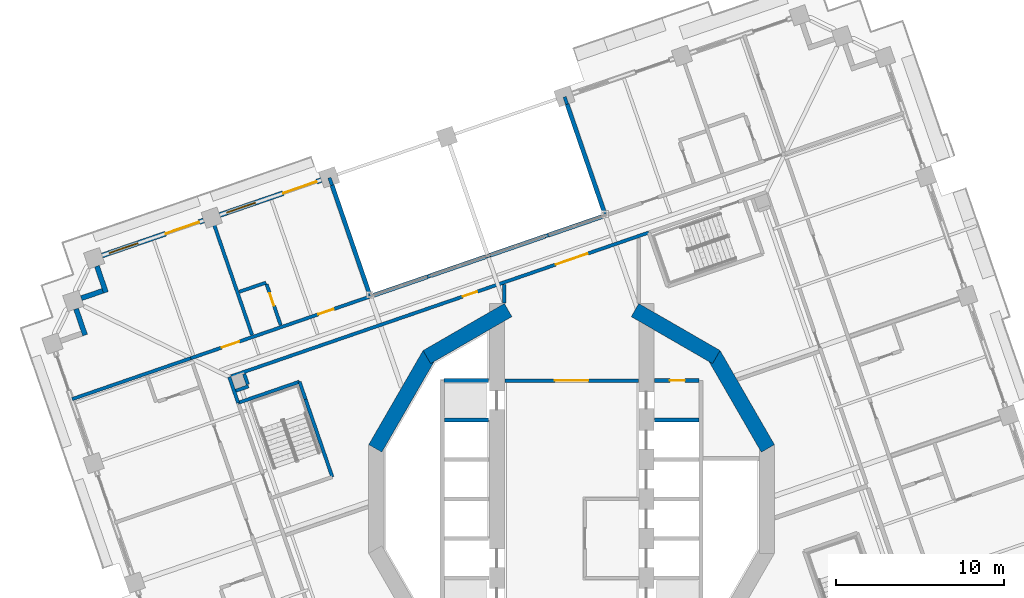
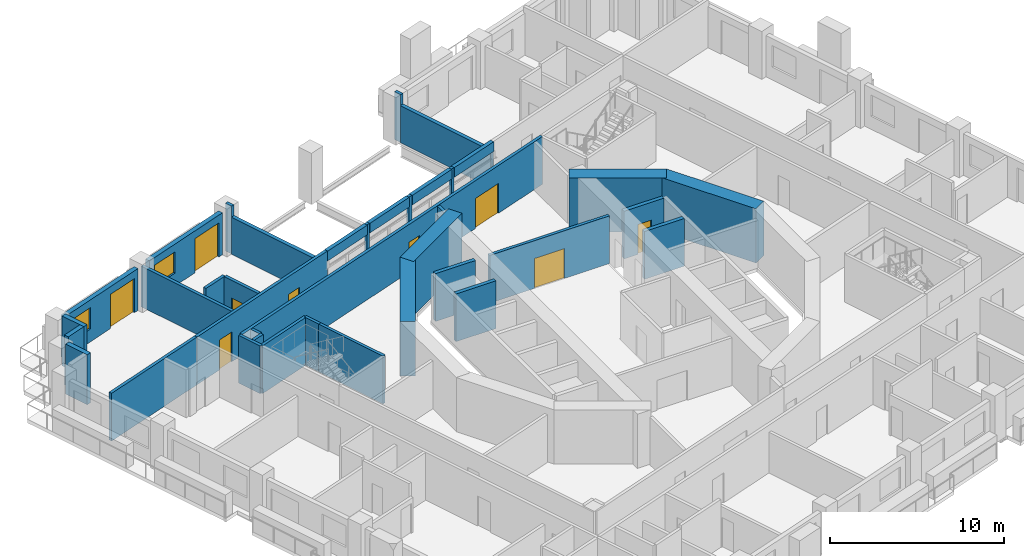
# One storey, part 11 of 22: 38 walls, 9 doors, 2 windows, 11 openings.
"""IFC4 building model written with IfcOpenShell, lengths in metres."""

from ifc_helpers import new_model, si_unit, direction, frame, frame_2d, origin, place, context, subcontext, project, spatial, rectangle, extrude, material, layer, layer_set, type_object, element, fill, save


model = new_model("IFC4")

# Units and contexts
model_context = context("Model", 3, precision=1e-05, world=origin(), true_north=direction((0.0, 1.0)))
body_context = subcontext(model_context, "Body", "Model", "MODEL_VIEW")
ifc_project = project(units=[si_unit("LENGTHUNIT", "METRE"), si_unit("AREAUNIT", "SQUARE_METRE"), si_unit("VOLUMEUNIT", "CUBIC_METRE"), si_unit("PLANEANGLEUNIT", "RADIAN"), si_unit("MASSUNIT", "GRAM", prefix="KILO")], contexts=[model_context])

# Site, building, storey
site_placement = place(None, origin())
site = spatial("IfcSite", under=ifc_project, at=site_placement, CompositionType="ELEMENT")
building_placement = place(site_placement, origin())
building = spatial("IfcBuilding", under=site, at=building_placement, Name="Cantera Rosa Tower", CompositionType="ELEMENT")
storey_placement = place(building_placement, frame((0.0, 0.0, 138.300048828125)))
storey = spatial("IfcBuildingStorey", under=building, at=storey_placement, Name="L29", CompositionType="ELEMENT", Elevation=138.300048828125)

# Walls
ifc_material_1 = material(Name="Gypsum board partition")
ifc_layer_1 = layer(ifc_material_1, 0.199951171875)
ifc_layer_set_1 = layer_set([ifc_layer_1], Name="CORRIDOR WALL 200 H3350")
wall_type_1 = type_object("IfcWallType", Name="CORRIDOR WALL 200 H3350", PredefinedType="PARTITIONING", material=ifc_layer_set_1)
wall_1_placement = place(storey_placement, frame((-20.37451171875, 7.262451171875, 0.0), z_axis=(0.0, 0.0, 1.0), x_axis=(0.325532736599, -0.945530770204, 0.0)))
element("IfcWall", 1, at=wall_1_placement, inside=storey, type_object=wall_type_1, Name="CORRIDOR WALL L29-007", PredefinedType="PARTITIONING", context=body_context, shape_type="SweptSolid", body=[
    extrude(rectangle(XDim=1.626708984375, YDim=0.199951171875, at=frame_2d((0.8134765625, 0.0))), origin(), (0.0, 0.0, 1.0), 3.349853515625),
])
wall_2_placement = place(storey_placement, frame((-4.0, 12.760498046875, 0.0), z_axis=(0.0, 0.0, 1.0), x_axis=(0.0, -1.0, 0.0)))
element("IfcWall", 2, at=wall_2_placement, inside=storey, type_object=wall_type_1, Name="CORRIDOR WALL L29-050", PredefinedType="PARTITIONING", context=body_context, shape_type="SweptSolid", body=[
    extrude(rectangle(XDim=1.09326171875, YDim=0.199951171875, at=frame_2d((0.546630859375, 0.0))), origin(), (0.0, 0.0, 1.0), 3.349853515625),
])

# Wall, opening, door
wall_3_placement = place(storey_placement, frame((-3.969970703125, 7.050048828125, 0.0), z_axis=(0.0, 0.0, 1.0), x_axis=(1.0, 0.0, 0.0)))
wall_3 = element("IfcWall", 3, at=wall_3_placement, inside=storey, type_object=wall_type_1, Name="CORRIDOR WALL L29-051", PredefinedType="PARTITIONING", context=body_context, shape_type="SweptSolid", body=[
    extrude(rectangle(XDim=7.93994140625, YDim=0.199951171875, at=frame_2d((3.969970703125, 0.0))), origin(), (0.0, 0.0, 1.0), 3.349853515625),
])
opening_1_placement = place(wall_3_placement, frame((2.969970703125, 0.0, 0.0)))
opening_1 = element("IfcOpeningElement", 4, at=opening_1_placement, cuts=wall_3, Name="Opening L29-011", PredefinedType="OPENING", context=body_context, shape_type="SweptSolid", body=[
    extrude(rectangle(XDim=2.0, YDim=2.10009765625, at=frame_2d((1.0, 1.050048828125))), frame((0.0, 0.10986328125, 0.0), z_axis=(0.0, -1.0, 0.0), x_axis=(1.0, 0.0, 0.0)), (0.0, 0.0, 1.0), 0.219970703125),
])
ifc_material_2 = material(Name="Steel S355J2 (EN 10025-2)", Category="steel")
door_type_1 = type_object("IfcDoorType", Name="LOBBY SCREEN DOOR 2000x2100", OperationType="NOTDEFINED", PredefinedType="DOOR", material=ifc_material_2)
door_1_placement = place(opening_1_placement, origin())
door_1 = element("IfcDoor", 5, at=door_1_placement, inside=storey, type_object=door_type_1, Name="DOOR L29-011", OperationType="NOTDEFINED", OverallHeight=2.10009765625, OverallWidth=2.0, PredefinedType="DOOR", context=body_context, shape_type="SweptSolid", body=[
    extrude(rectangle(XDim=2.0, YDim=2.10009765625, at=frame_2d((1.0, 1.050048828125))), frame((0.0, 0.02490234375, 0.0), z_axis=(0.0, -1.0, 0.0), x_axis=(1.0, 0.0, 0.0)), (0.0, 0.0, 1.0), 0.050048828125),
])
fill(opening_1, door_1)

# Wall, openings, doors
wall_4_placement = place(storey_placement, frame((4.599365234375, 15.861572265625, 0.0), z_axis=(0.0, 0.0, 1.0), x_axis=(-0.94551912499, -0.325566558907, 0.0)))
wall_4 = element("IfcWall", 6, at=wall_4_placement, inside=storey, type_object=wall_type_1, Name="CORRIDOR WALL L29-061", PredefinedType="PARTITIONING", context=body_context, shape_type="SweptSolid", body=[
    extrude(rectangle(XDim=26.292724609375, YDim=0.199951171875, at=frame_2d((13.146484375, 0.0))), origin(), (0.0, 0.0, 1.0), 3.349853515625),
])
opening_2_placement = place(wall_4_placement, frame((10.8095703125, 0.0, 0.0)))
opening_2 = element("IfcOpeningElement", 7, at=opening_2_placement, cuts=wall_4, Name="Opening L29-005", PredefinedType="OPENING", context=body_context, shape_type="SweptSolid", body=[
    extrude(rectangle(XDim=0.89990234375, YDim=2.10009765625, at=frame_2d((0.449951171875, 1.050048828125))), frame((0.0, 0.10986328125, 0.0), z_axis=(0.0, -1.0, 0.0), x_axis=(1.0, 0.0, 0.0)), (0.0, 0.0, 1.0), 0.219970703125),
])
opening_3_placement = place(wall_4_placement, frame((3.864501953125, 0.0, 0.0)))
opening_3 = element("IfcOpeningElement", 8, at=opening_3_placement, cuts=wall_4, Name="Opening L29-010", PredefinedType="OPENING", context=body_context, shape_type="SweptSolid", body=[
    extrude(rectangle(XDim=2.0, YDim=2.10009765625, at=frame_2d((1.0, 1.050048828125))), frame((0.0, 0.10986328125, 0.0), z_axis=(0.0, -1.0, 0.0), x_axis=(1.0, 0.0, 0.0)), (0.0, 0.0, 1.0), 0.219970703125),
])
door_2_placement = place(opening_3_placement, origin())
door_2 = element("IfcDoor", 9, at=door_2_placement, inside=storey, type_object=door_type_1, Name="DOOR L29-010", OperationType="NOTDEFINED", OverallHeight=2.10009765625, OverallWidth=2.0, PredefinedType="DOOR", context=body_context, shape_type="SweptSolid", body=[
    extrude(rectangle(XDim=2.0, YDim=2.10009765625, at=frame_2d((1.0, 1.050048828125))), frame((0.0, 0.02490234375, 0.0), z_axis=(0.0, -1.0, 0.0), x_axis=(1.0, 0.0, 0.0)), (0.0, 0.0, 1.0), 0.050048828125),
])
fill(opening_3, door_2)
ifc_material_3 = material(Name="Timber door leaf", Category="wood")
door_type_2 = type_object("IfcDoorType", Name="SERVICE DOOR 900x2100", OperationType="NOTDEFINED", PredefinedType="DOOR", material=ifc_material_3)
door_3_placement = place(opening_2_placement, origin())
door_3 = element("IfcDoor", 10, at=door_3_placement, inside=storey, type_object=door_type_2, Name="DOOR L29-005", OperationType="NOTDEFINED", OverallHeight=2.10009765625, OverallWidth=0.89990234375, PredefinedType="DOOR", context=body_context, shape_type="SweptSolid", body=[
    extrude(rectangle(XDim=0.89990234375, YDim=2.10009765625, at=frame_2d((0.449951171875, 1.050048828125))), frame((0.0, 0.02490234375, 0.0), z_axis=(0.0, -1.0, 0.0), x_axis=(1.0, 0.0, 0.0)), (0.0, 0.0, 1.0), 0.050048828125),
])
fill(opening_2, door_3)

# Walls
wall_5_placement = place(storey_placement, frame((-1.379638671875, 15.70654296875, 0.0), z_axis=(0.0, 0.0, 1.0), x_axis=(-0.945384884548, -0.3259561628, 0.0)))
element("IfcWall", 11, at=wall_5_placement, inside=storey, type_object=wall_type_1, Name="CORRIDOR WALL L29-089", PredefinedType="PARTITIONING", context=body_context, shape_type="SweptSolid", body=[
    extrude(rectangle(XDim=0.218017578125, YDim=0.199951171875, at=frame_2d((0.10888671875, 0.0))), origin(), (0.0, 0.0, 1.0), 3.349853515625),
])
wall_6_placement = place(storey_placement, frame((-4.8544921875, 14.510009765625, 0.0), z_axis=(0.0, 0.0, 1.0), x_axis=(-0.945634074283, -0.325232528438, 0.0)))
element("IfcWall", 12, at=wall_6_placement, inside=storey, type_object=wall_type_1, Name="CORRIDOR WALL L29-090", PredefinedType="PARTITIONING", context=body_context, shape_type="SweptSolid", body=[
    extrude(rectangle(XDim=0.26806640625, YDim=0.199951171875, at=frame_2d((0.134033203125, 0.0))), origin(), (0.0, 0.0, 1.0), 3.349853515625),
])
wall_7_placement = place(storey_placement, frame((-8.37646484375, 13.29736328125, 0.0), z_axis=(0.0, 0.0, 1.0), x_axis=(-0.945503706082, -0.325611335467, 0.0)))
element("IfcWall", 13, at=wall_7_placement, inside=storey, type_object=wall_type_1, Name="CORRIDOR WALL L29-091", PredefinedType="PARTITIONING", context=body_context, shape_type="SweptSolid", body=[
    extrude(rectangle(XDim=0.21826171875, YDim=0.199951171875, at=frame_2d((0.109130859375, 0.0))), origin(), (0.0, 0.0, 1.0), 3.349853515625),
])

# Wall, openings, doors
wall_8_placement = place(storey_placement, frame((-11.85986328125, 12.097900390625, 0.0), z_axis=(0.0, 0.0, 1.0), x_axis=(-0.945521627167, -0.325559291927, 0.0)))
wall_8 = element("IfcWall", 14, at=wall_8_placement, inside=storey, type_object=wall_type_1, Name="CORRIDOR WALL L29-092", PredefinedType="PARTITIONING", context=body_context, shape_type="SweptSolid", body=[
    extrude(rectangle(XDim=11.4248046875, YDim=0.199951171875, at=frame_2d((5.71240234375, 0.0))), origin(), (0.0, 0.0, 1.0), 3.349853515625),
])
opening_4_placement = place(wall_8_placement, frame((2.449951171875, 0.0, 0.0)))
opening_4 = element("IfcOpeningElement", 15, at=opening_4_placement, cuts=wall_8, Name="Opening L29-024", PredefinedType="OPENING", context=body_context, shape_type="SweptSolid", body=[
    extrude(rectangle(XDim=0.949951171875, YDim=2.10009765625, at=frame_2d((0.47509765625, 1.050048828125))), frame((0.0, 0.10986328125, 0.0), z_axis=(0.0, -1.0, 0.0), x_axis=(1.0, 0.0, 0.0)), (0.0, 0.0, 1.0), 0.219970703125),
])
opening_5_placement = place(wall_8_placement, frame((8.375, 0.0, 0.0)))
opening_5 = element("IfcOpeningElement", 16, at=opening_5_placement, cuts=wall_8, Name="Opening L29-029", PredefinedType="OPENING", context=body_context, shape_type="SweptSolid", body=[
    extrude(rectangle(XDim=1.10009765625, YDim=2.10009765625, at=frame_2d((0.550048828125, 1.050048828125))), frame((0.0, 0.10986328125, 0.0), z_axis=(0.0, -1.0, 0.0), x_axis=(1.0, 0.0, 0.0)), (0.0, 0.0, 1.0), 0.219970703125),
])
ifc_material_4 = material(Name="Timber door leaf", Category="wood")
door_type_3 = type_object("IfcDoorType", Name="ROOM DOOR 1100x2100", OperationType="NOTDEFINED", PredefinedType="DOOR", material=ifc_material_4)
door_4_placement = place(opening_5_placement, origin())
door_4 = element("IfcDoor", 17, at=door_4_placement, inside=storey, type_object=door_type_3, Name="DOOR L29-029", OperationType="NOTDEFINED", OverallHeight=2.10009765625, OverallWidth=1.10009765625, PredefinedType="DOOR", context=body_context, shape_type="SweptSolid", body=[
    extrude(rectangle(XDim=1.10009765625, YDim=2.10009765625, at=frame_2d((0.550048828125, 1.050048828125))), frame((0.0, 0.02490234375, 0.0), z_axis=(0.0, -1.0, 0.0), x_axis=(1.0, 0.0, 0.0)), (0.0, 0.0, 1.0), 0.050048828125),
])
fill(opening_5, door_4)
ifc_material_5 = material(Name="Timber door leaf", Category="wood")
door_type_4 = type_object("IfcDoorType", Name="ROOM DOOR 950x2100", OperationType="NOTDEFINED", PredefinedType="DOOR", material=ifc_material_5)
door_5_placement = place(opening_4_placement, origin())
door_5 = element("IfcDoor", 18, at=door_5_placement, inside=storey, type_object=door_type_4, Name="DOOR L29-024", OperationType="NOTDEFINED", OverallHeight=2.10009765625, OverallWidth=0.949951171875, PredefinedType="DOOR", context=body_context, shape_type="SweptSolid", body=[
    extrude(rectangle(XDim=0.949951171875, YDim=2.10009765625, at=frame_2d((0.47509765625, 1.050048828125))), frame((0.0, 0.02490234375, 0.0), z_axis=(0.0, -1.0, 0.0), x_axis=(1.0, 0.0, 0.0)), (0.0, 0.0, 1.0), 0.050048828125),
])
fill(opening_4, door_5)

# Walls
ifc_material_6 = material(Name="Hollow clay masonry with cantera stone cladding", Category="masonry")
ifc_layer_2 = layer(ifc_material_6, 0.300048828125)
ifc_layer_set_2 = layer_set([ifc_layer_2], Name="EW-LOGGIA 300")
wall_type_2 = type_object("IfcWallType", Name="EW-LOGGIA 300", PredefinedType="SOLIDWALL", material=ifc_layer_set_2)
wall_9_placement = place(storey_placement, frame((-28.250732421875, 13.857421875, 0.0), z_axis=(0.0, 0.0, 1.0), x_axis=(0.325666906351, -0.945484566827, 0.0)))
element("IfcWall", 19, at=wall_9_placement, inside=storey, type_object=wall_type_2, Name="EN-L29-W14a", PredefinedType="SOLIDWALL", context=body_context, shape_type="SweptSolid", body=[
    extrude(rectangle(XDim=1.64990234375, YDim=0.300048828125, at=frame_2d((0.824951171875, 0.0))), origin(), (0.0, 0.0, 1.0), 3.5),
])
wall_10_placement = place(storey_placement, frame((-27.904052734375, 12.390380859375, 0.0), z_axis=(0.0, 0.0, 1.0), x_axis=(-0.945545797087, -0.325489086777, 0.0)))
element("IfcWall", 20, at=wall_10_placement, inside=storey, type_object=wall_type_2, Name="EN-L29-W14b", PredefinedType="SOLIDWALL", context=body_context, shape_type="SweptSolid", body=[
    extrude(rectangle(XDim=1.35009765625, YDim=0.300048828125, at=frame_2d((0.675048828125, 0.0))), origin(), (0.0, 0.0, 1.0), 3.5),
])
wall_11_placement = place(storey_placement, frame((-29.490478515625, 11.315185546875, 0.0), z_axis=(0.0, 0.0, 1.0), x_axis=(0.32553462645, -0.945530119553, 0.0)))
element("IfcWall", 21, at=wall_11_placement, inside=storey, type_object=wall_type_2, Name="EN-L29-W15a", PredefinedType="SOLIDWALL", context=body_context, shape_type="SweptSolid", body=[
    extrude(rectangle(XDim=1.64990234375, YDim=0.300048828125, at=frame_2d((0.824951171875, 0.0))), origin(), (0.0, 0.0, 1.0), 3.5),
])

# Wall, openings, window, door
ifc_material_7 = material(Name="Hollow clay masonry with cantera stone cladding", Category="masonry")
ifc_layer_3 = layer(ifc_material_7, 0.300048828125)
ifc_layer_set_3 = layer_set([ifc_layer_3], Name="EW-LOGGIA 300 H2940")
wall_type_3 = type_object("IfcWallType", Name="EW-LOGGIA 300 H2940", PredefinedType="SOLIDWALL", material=ifc_layer_set_3)
wall_12_placement = place(storey_placement, frame((-14.892578125, 18.98583984375, 0.0), z_axis=(0.0, 0.0, 1.0), x_axis=(-0.945512753621, -0.325585062219, 0.0)))
wall_12 = element("IfcWall", 22, at=wall_12_placement, inside=storey, type_object=wall_type_3, Name="EN-L29-W12", PredefinedType="SOLIDWALL", context=body_context, shape_type="SweptSolid", body=[
    extrude(rectangle(XDim=6.39990234375, YDim=0.300048828125, at=frame_2d((3.199951171875, 0.0))), origin(), (0.0, 0.0, 1.0), 2.93994140625),
])
opening_6_placement = place(wall_12_placement, frame((0.300048828125, 0.0, 0.0)))
opening_6 = element("IfcOpeningElement", 23, at=opening_6_placement, cuts=wall_12, Name="Opening L29-TD15", PredefinedType="OPENING", context=body_context, shape_type="SweptSolid", body=[
    extrude(rectangle(XDim=2.10009765625, YDim=2.39990234375, at=frame_2d((1.050048828125, 1.199951171875))), frame((0.0, 0.159912109375, 0.0), z_axis=(0.0, -1.0, 0.0), x_axis=(1.0, 0.0, 0.0)), (0.0, 0.0, 1.0), 0.320068359375),
])
opening_7_placement = place(wall_12_placement, frame((4.14990234375, 0.0, 0.89990234375)))
opening_7 = element("IfcOpeningElement", 24, at=opening_7_placement, cuts=wall_12, Name="Opening L29-W16", PredefinedType="OPENING", context=body_context, shape_type="SweptSolid", body=[
    extrude(rectangle(XDim=1.800048828125, YDim=1.5, at=frame_2d((0.89990234375, 0.75))), frame((0.0, 0.159912109375, 0.0), z_axis=(0.0, -1.0, 0.0), x_axis=(1.0, 0.0, 0.0)), (0.0, 0.0, 1.0), 0.320068359375),
])
ifc_material_8 = material(Name="Aluminium frame with clear glass", Category="aluminium")
window_type = type_object("IfcWindowType", Name="Hotel room window 1800x1500", PartitioningType="DOUBLE_PANEL_VERTICAL", PredefinedType="WINDOW", material=ifc_material_8)
window_1_placement = place(opening_7_placement, origin())
window_1 = element("IfcWindow", 25, at=window_1_placement, inside=storey, type_object=window_type, Name="WINDOW L29-W16", OverallHeight=1.5, OverallWidth=1.800048828125, PartitioningType="SINGLE_PANEL", PredefinedType="WINDOW", context=body_context, shape_type="SweptSolid", body=[
    extrude(rectangle(XDim=1.800048828125, YDim=1.5, at=frame_2d((0.89990234375, 0.75))), frame((0.0, 0.030029296875, 0.0), z_axis=(0.0, -1.0, 0.0), x_axis=(1.0, 0.0, 0.0)), (0.0, 0.0, 1.0), 0.06005859375),
])
fill(opening_7, window_1)
ifc_material_9 = material(Name="Aluminium frame with clear glass", Category="aluminium")
door_type_5 = type_object("IfcDoorType", Name="TD-H 2100x2400", OperationType="NOTDEFINED", PredefinedType="DOOR", material=ifc_material_9)
door_6_placement = place(opening_6_placement, origin())
door_6 = element("IfcDoor", 26, at=door_6_placement, inside=storey, type_object=door_type_5, Name="LOGGIA DOOR L29-TD15", OperationType="SLIDING_TO_LEFT", OverallHeight=2.39990234375, OverallWidth=2.10009765625, PredefinedType="DOOR", context=body_context, shape_type="SweptSolid", body=[
    extrude(rectangle(XDim=2.10009765625, YDim=2.39990234375, at=frame_2d((1.050048828125, 1.199951171875))), frame((0.0, 0.02490234375, 0.0), z_axis=(0.0, -1.0, 0.0), x_axis=(1.0, 0.0, 0.0)), (0.0, 0.0, 1.0), 0.050048828125),
])
fill(opening_6, door_6)

wall_13_placement = place(storey_placement, frame((-21.889404296875, 16.57666015625, 0.0), z_axis=(0.0, 0.0, 1.0), x_axis=(-0.945512753621, -0.325585062219, 0.0)))
wall_13 = element("IfcWall", 27, at=wall_13_placement, inside=storey, type_object=wall_type_3, Name="EN-L29-W13", PredefinedType="SOLIDWALL", context=body_context, shape_type="SweptSolid", body=[
    extrude(rectangle(XDim=6.39990234375, YDim=0.300048828125, at=frame_2d((3.199951171875, 0.0))), origin(), (0.0, 0.0, 1.0), 2.93994140625),
])
opening_8_placement = place(wall_13_placement, frame((0.300048828125, 0.0, 0.0)))
opening_8 = element("IfcOpeningElement", 28, at=opening_8_placement, cuts=wall_13, Name="Opening L29-TD17", PredefinedType="OPENING", context=body_context, shape_type="SweptSolid", body=[
    extrude(rectangle(XDim=2.10009765625, YDim=2.39990234375, at=frame_2d((1.050048828125, 1.199951171875))), frame((0.0, 0.159912109375, 0.0), z_axis=(0.0, -1.0, 0.0), x_axis=(1.0, 0.0, 0.0)), (0.0, 0.0, 1.0), 0.320068359375),
])
opening_9_placement = place(wall_13_placement, frame((4.14990234375, 0.0, 0.89990234375)))
opening_9 = element("IfcOpeningElement", 29, at=opening_9_placement, cuts=wall_13, Name="Opening L29-W18", PredefinedType="OPENING", context=body_context, shape_type="SweptSolid", body=[
    extrude(rectangle(XDim=1.800048828125, YDim=1.5, at=frame_2d((0.89990234375, 0.75))), frame((0.0, 0.159912109375, 0.0), z_axis=(0.0, -1.0, 0.0), x_axis=(1.0, 0.0, 0.0)), (0.0, 0.0, 1.0), 0.320068359375),
])
window_2_placement = place(opening_9_placement, origin())
window_2 = element("IfcWindow", 30, at=window_2_placement, inside=storey, type_object=window_type, Name="WINDOW L29-W18", OverallHeight=1.5, OverallWidth=1.800048828125, PartitioningType="SINGLE_PANEL", PredefinedType="WINDOW", context=body_context, shape_type="SweptSolid", body=[
    extrude(rectangle(XDim=1.800048828125, YDim=1.5, at=frame_2d((0.89990234375, 0.75))), frame((0.0, 0.030029296875, 0.0), z_axis=(0.0, -1.0, 0.0), x_axis=(1.0, 0.0, 0.0)), (0.0, 0.0, 1.0), 0.06005859375),
])
fill(opening_9, window_2)
door_7_placement = place(opening_8_placement, origin())
door_7 = element("IfcDoor", 31, at=door_7_placement, inside=storey, type_object=door_type_5, Name="LOGGIA DOOR L29-TD17", OperationType="SLIDING_TO_LEFT", OverallHeight=2.39990234375, OverallWidth=2.10009765625, PredefinedType="DOOR", context=body_context, shape_type="SweptSolid", body=[
    extrude(rectangle(XDim=2.10009765625, YDim=2.39990234375, at=frame_2d((1.050048828125, 1.199951171875))), frame((0.0, 0.02490234375, 0.0), z_axis=(0.0, -1.0, 0.0), x_axis=(1.0, 0.0, 0.0)), (0.0, 0.0, 1.0), 0.050048828125),
])
fill(opening_8, door_7)

# Walls
ifc_material_10 = material(Name="Concrete C40/50", Category="concrete")
ifc_layer_4 = layer(ifc_material_10, 0.25)
ifc_layer_set_4 = layer_set([ifc_layer_4], Name="EW-POCKET CHEEK 250 H2595")
wall_type_4 = type_object("IfcWallType", Name="EW-POCKET CHEEK 250 H2595", PredefinedType="SOLIDWALL", material=ifc_layer_set_4)
wall_14_placement = place(storey_placement, frame((-0.263427734375, 23.494384765625, 0.0), z_axis=(0.0, 0.0, 1.0), x_axis=(0.325585020105, -0.945512768123, 0.0)))
element("IfcWall", 32, at=wall_14_placement, inside=storey, type_object=wall_type_4, Name="POCKET CHEEK A L29", PredefinedType="SOLIDWALL", context=body_context, shape_type="SweptSolid", body=[
    extrude(rectangle(XDim=6.900146484375, YDim=0.25, at=frame_2d((3.4501953125, 0.0))), origin(), (0.0, 0.0, 1.0), 2.594970703125),
])
wall_15_placement = place(storey_placement, frame((-14.257080078125, 18.67578125, 0.0), z_axis=(0.0, 0.0, 1.0), x_axis=(0.325595912607, -0.945509017246, 0.0)))
element("IfcWall", 33, at=wall_15_placement, inside=storey, type_object=wall_type_4, Name="POCKET CHEEK B L29", PredefinedType="SOLIDWALL", context=body_context, shape_type="SweptSolid", body=[
    extrude(rectangle(XDim=6.89990234375, YDim=0.25, at=frame_2d((3.449951171875, 0.0))), origin(), (0.0, 0.0, 1.0), 2.594970703125),
])
ifc_material_11 = material(Name="Hollow clay masonry with cantera stone cladding", Category="masonry")
ifc_layer_5 = layer(ifc_material_11, 0.25)
ifc_layer_set_5 = layer_set([ifc_layer_5], Name="EW-POCKET REAR 250")
wall_type_5 = type_object("IfcWallType", Name="EW-POCKET REAR 250", PredefinedType="SOLIDWALL", material=ifc_layer_set_5)
wall_16_placement = place(storey_placement, frame((1.8974609375, 16.8349609375, 2.66796875), z_axis=(0.0, 0.0, 1.0), x_axis=(-0.945516614369, -0.325573850228, 0.0)))
element("IfcWall", 34, at=wall_16_placement, inside=storey, type_object=wall_type_5, Name="POCKET SPANDREL L29-1", PredefinedType="SOLIDWALL", context=body_context, shape_type="SweptSolid", body=[
    extrude(rectangle(XDim=3.4658203125, YDim=0.25, at=frame_2d((1.73291015625, 0.0))), origin(), (0.0, 0.0, 1.0), 0.681884765625),
])
for number, where, z_axis, x_axis, name in (
    (35, (-1.5859375, 15.635498046875, 2.66796875), (0.0, 0.0, 1.0), (-0.945515490324, -0.32557711461, 0.0), "POCKET SPANDREL L29-2"),
    (36, (-5.10791015625, 14.4228515625, 2.66796875), (0.0, 0.0, 1.0), (-0.945515490324, -0.32557711461, 0.0), "POCKET SPANDREL L29-3"),
):
    element("IfcWall", number, at=place(storey_placement, frame(where, z_axis=z_axis, x_axis=x_axis)), inside=storey, type_object=wall_type_5, Name=name, PredefinedType="SOLIDWALL", context=body_context, shape_type="SweptSolid", body=[
        extrude(rectangle(XDim=3.456787109375, YDim=0.25, at=frame_2d((1.728515625, 0.0))), origin(), (0.0, 0.0, 1.0), 0.681884765625),
    ])
wall_17_placement = place(storey_placement, frame((-8.582763671875, 13.226318359375, 2.66796875), z_axis=(0.0, 0.0, 1.0), x_axis=(-0.945516614369, -0.325573850228, 0.0)))
element("IfcWall", 37, at=wall_17_placement, inside=storey, type_object=wall_type_5, Name="POCKET SPANDREL L29-4", PredefinedType="SOLIDWALL", context=body_context, shape_type="SweptSolid", body=[
    extrude(rectangle(XDim=3.4658203125, YDim=0.25, at=frame_2d((1.73291015625, 0.0))), origin(), (0.0, 0.0, 1.0), 0.681884765625),
])
ifc_material_12 = material(Name="Gypsum board partition")
ifc_layer_6 = layer(ifc_material_12, 0.199951171875)
ifc_layer_set_6 = layer_set([ifc_layer_6], Name="PARTITION 200 H3350")
wall_type_6 = type_object("IfcWallType", Name="PARTITION 200 H3350", PredefinedType="PARTITIONING", material=ifc_layer_set_6)
wall_18_placement = place(storey_placement, frame((-19.98681640625, 6.444091796875, 0.0), z_axis=(0.0, 0.0, 1.0), x_axis=(0.945586856903, 0.325369783557, 0.0)))
element("IfcWall", 38, at=wall_18_placement, inside=storey, type_object=wall_type_6, Name="PARTITION L29-010", PredefinedType="PARTITIONING", context=body_context, shape_type="SweptSolid", body=[
    extrude(rectangle(XDim=0.7998046875, YDim=0.199951171875, at=frame_2d((0.39990234375, 0.0))), origin(), (0.0, 0.0, 1.0), 3.349853515625),
])
wall_19_placement = place(storey_placement, frame((-19.77294921875, 12.33447265625, 0.0), z_axis=(0.0, 0.0, 1.0), x_axis=(0.945482578037, 0.3256726802, 0.0)))
element("IfcWall", 39, at=wall_19_placement, inside=storey, type_object=wall_type_6, Name="PARTITION L29-011", PredefinedType="PARTITIONING", context=body_context, shape_type="SweptSolid", body=[
    extrude(rectangle(XDim=1.679931640625, YDim=0.199951171875, at=frame_2d((0.83984375, 0.0))), origin(), (0.0, 0.0, 1.0), 3.349853515625),
])
wall_20_placement = place(storey_placement, frame((-19.26953125, 6.81787109375, 0.0), z_axis=(0.0, 0.0, 1.0), x_axis=(-0.32553462645, 0.945530119553, 0.0)))
element("IfcWall", 40, at=wall_20_placement, inside=storey, type_object=wall_type_6, Name="PARTITION L29-015", PredefinedType="PARTITIONING", context=body_context, shape_type="SweptSolid", body=[
    extrude(rectangle(XDim=0.659912109375, YDim=0.199951171875, at=frame_2d((0.330078125, 0.0))), origin(), (0.0, 0.0, 1.0), 3.349853515625),
])

# Wall, opening, door
wall_21_placement = place(storey_placement, frame((-18.152099609375, 12.786865234375, 0.0), z_axis=(0.0, 0.0, 1.0), x_axis=(0.325608632474, -0.945504636931, 0.0)))
wall_21 = element("IfcWall", 41, at=wall_21_placement, inside=storey, type_object=wall_type_6, Name="PARTITION L29-017", PredefinedType="PARTITIONING", context=body_context, shape_type="SweptSolid", body=[
    extrude(rectangle(XDim=2.580078125, YDim=0.199951171875, at=frame_2d((1.2900390625, 0.0))), origin(), (0.0, 0.0, 1.0), 3.349853515625),
])
opening_10_placement = place(wall_21_placement, frame((0.56396484375, 0.0, 0.0)))
opening_10 = element("IfcOpeningElement", 42, at=opening_10_placement, cuts=wall_21, Name="Opening L29-025", PredefinedType="OPENING", context=body_context, shape_type="SweptSolid", body=[
    extrude(rectangle(XDim=0.800048828125, YDim=2.10009765625, at=frame_2d((0.39990234375, 1.050048828125))), frame((0.0, 0.10986328125, 0.0), z_axis=(0.0, -1.0, 0.0), x_axis=(1.0, 0.0, 0.0)), (0.0, 0.0, 1.0), 0.219970703125),
])
ifc_material_13 = material(Name="Timber door leaf", Category="wood")
door_type_6 = type_object("IfcDoorType", Name="BATHROOM DOOR 800x2100", OperationType="NOTDEFINED", PredefinedType="DOOR", material=ifc_material_13)
door_8_placement = place(opening_10_placement, origin())
door_8 = element("IfcDoor", 43, at=door_8_placement, inside=storey, type_object=door_type_6, Name="DOOR L29-025", OperationType="NOTDEFINED", OverallHeight=2.10009765625, OverallWidth=0.800048828125, PredefinedType="DOOR", context=body_context, shape_type="SweptSolid", body=[
    extrude(rectangle(XDim=0.800048828125, YDim=2.10009765625, at=frame_2d((0.39990234375, 1.050048828125))), frame((0.0, 0.02490234375, 0.0), z_axis=(0.0, -1.0, 0.0), x_axis=(1.0, 0.0, 0.0)), (0.0, 0.0, 1.0), 0.050048828125),
])
fill(opening_10, door_8)

# Walls
wall_22_placement = place(storey_placement, frame((-14.409912109375, 19.120361328125, 0.0), z_axis=(0.0, 0.0, 1.0), x_axis=(0.325094282218, -0.945681610094, 0.0)))
element("IfcWall", 44, at=wall_22_placement, inside=storey, type_object=wall_type_6, Name="PARTITION L29-025", PredefinedType="PARTITIONING", context=body_context, shape_type="SweptSolid", body=[
    extrude(rectangle(XDim=0.47021484375, YDim=0.199951171875, at=frame_2d((0.235107421875, 0.0))), origin(), (0.0, 0.0, 1.0), 3.349853515625),
])
wall_23_placement = place(storey_placement, frame((-0.26318359375, 23.494384765625, 0.0), z_axis=(0.0, 0.0, 1.0), x_axis=(-0.325718504865, 0.94546679243, 0.0)))
element("IfcWall", 45, at=wall_23_placement, inside=storey, type_object=wall_type_6, Name="PARTITION L29-055", PredefinedType="PARTITIONING", context=body_context, shape_type="SweptSolid", body=[
    extrude(rectangle(XDim=0.469970703125, YDim=0.199951171875, at=frame_2d((0.23486328125, 0.0))), origin(), (0.0, 0.0, 1.0), 3.349853515625),
])
ifc_material_14 = material(Name="Gypsum board partition")
ifc_layer_7 = layer(ifc_material_14, 0.199951171875)
ifc_layer_set_7 = layer_set([ifc_layer_7], Name="PARTY WALL 200 H2850")
wall_type_7 = type_object("IfcWallType", Name="PARTY WALL 200 H2850", PredefinedType="PARTITIONING", material=ifc_layer_set_7)
wall_24_placement = place(storey_placement, frame((-19.013916015625, 9.761474609375, 0.0), z_axis=(0.0, 0.0, 1.0), x_axis=(-0.32558937169, 0.945511269654, 0.0)))
element("IfcWall", 46, at=wall_24_placement, inside=storey, type_object=wall_type_7, Name="PARTY WALL L29-016", PredefinedType="PARTITIONING", context=body_context, shape_type="SweptSolid", body=[
    extrude(rectangle(XDim=7.349853515625, YDim=0.199951171875, at=frame_2d((3.6748046875, 0.0))), origin(), (0.0, 0.0, 1.0), 2.849853515625),
])
ifc_material_15 = material(Name="Gypsum board partition")
ifc_layer_8 = layer(ifc_material_15, 0.199951171875)
ifc_layer_set_8 = layer_set([ifc_layer_8], Name="PARTY WALL 200 H3350")
wall_type_8 = type_object("IfcWallType", Name="PARTY WALL 200 H3350", PredefinedType="PARTITIONING", material=ifc_layer_set_8)
wall_25_placement = place(storey_placement, frame((-22.662353515625, 8.37841796875, 0.0), z_axis=(0.0, 0.0, 1.0), x_axis=(-0.945512517373, -0.325585748291, 0.0)))
element("IfcWall", 47, at=wall_25_placement, inside=storey, type_object=wall_type_8, Name="PARTY WALL L29-002", PredefinedType="PARTITIONING", context=body_context, shape_type="SweptSolid", body=[
    extrude(rectangle(XDim=7.469970703125, YDim=0.199951171875, at=frame_2d((3.73486328125, 0.0))), origin(), (0.0, 0.0, 1.0), 3.349853515625),
])
ifc_material_16 = material(Name="Concrete C70/85", Category="concrete")
ifc_layer_9 = layer(ifc_material_16, 0.89990234375)
ifc_layer_set_9 = layer_set([ifc_layer_9], Name="RC CORE WALL 900 C70/85")
wall_type_9 = type_object("IfcWallType", Name="RC CORE WALL 900 C70/85", PredefinedType="SHEAR", material=ifc_layer_set_9)
wall_26_placement = place(storey_placement, frame((-11.684326171875, 3.01025390625, 0.0), z_axis=(0.0, 0.0, 1.0), x_axis=(0.499990282633, 0.866031014036, 0.0)))
element("IfcWall", 48, at=wall_26_placement, inside=storey, type_object=wall_type_9, Name="CW-W4 L29", PredefinedType="SHEAR", context=body_context, shape_type="SweptSolid", body=[
    extrude(rectangle(XDim=6.470458984375, YDim=0.89990234375, at=frame_2d((3.2353515625, 0.0))), origin(), (0.0, 0.0, 1.0), 3.800048828125),
])
for number, where, z_axis, x_axis, name in (
    (49, (-8.61376953125, 8.44921875, 0.0), (0.0, 0.0, 1.0), (0.866026961591, 0.49999730179, 0.0), "CW-W5 L29"),
    (50, (3.77490234375, 11.242919921875, 0.0), (0.0, 0.0, 1.0), (0.866026961591, -0.49999730179, 0.0), "CW-E1 L29"),
):
    element("IfcWall", number, at=place(storey_placement, frame(where, z_axis=z_axis, x_axis=x_axis)), inside=storey, type_object=wall_type_9, Name=name, PredefinedType="SHEAR", context=body_context, shape_type="SweptSolid", body=[
        extrude(rectangle(XDim=5.58740234375, YDim=0.89990234375, at=frame_2d((2.793701171875, 0.0))), origin(), (0.0, 0.0, 1.0), 3.800048828125),
    ])
wall_27_placement = place(storey_placement, frame((8.44921875, 8.61376953125, 0.0), z_axis=(0.0, 0.0, 1.0), x_axis=(0.499990282633, -0.866031014036, 0.0)))
element("IfcWall", 51, at=wall_27_placement, inside=storey, type_object=wall_type_9, Name="CW-E2 L29", PredefinedType="SHEAR", context=body_context, shape_type="SweptSolid", body=[
    extrude(rectangle(XDim=6.470458984375, YDim=0.89990234375, at=frame_2d((3.2353515625, 0.0))), origin(), (0.0, 0.0, 1.0), 3.800048828125),
])
ifc_material_17 = material(Name="Masonry blockwork", Category="masonry")
ifc_layer_10 = layer(ifc_material_17, 0.25)
ifc_layer_set_10 = layer_set([ifc_layer_10], Name="SHAFT WALL 250 H3350")
wall_type_10 = type_object("IfcWallType", Name="SHAFT WALL 250 H3350", PredefinedType="SOLIDWALL", material=ifc_layer_set_10)
wall_28_placement = place(storey_placement, frame((-7.574951171875, 4.699951171875, 0.0), z_axis=(0.0, 0.0, 1.0), x_axis=(1.0, 0.0, 0.0)))
element("IfcWall", 52, at=wall_28_placement, inside=storey, type_object=wall_type_10, Name="SHAFT WALL L29-042", PredefinedType="SOLIDWALL", context=body_context, shape_type="SweptSolid", body=[
    extrude(rectangle(XDim=2.64501953125, YDim=0.25, at=frame_2d((1.322509765625, 0.0))), origin(), (0.0, 0.0, 1.0), 3.349853515625),
])
wall_29_placement = place(storey_placement, frame((-4.929931640625, 7.050048828125, 0.0), z_axis=(0.0, 0.0, 1.0), x_axis=(-1.0, 0.0, 0.0)))
element("IfcWall", 53, at=wall_29_placement, inside=storey, type_object=wall_type_10, Name="SHAFT WALL L29-046", PredefinedType="SOLIDWALL", context=body_context, shape_type="SweptSolid", body=[
    extrude(rectangle(XDim=2.650146484375, YDim=0.25, at=frame_2d((1.3251953125, 0.0))), origin(), (0.0, 0.0, 1.0), 3.349853515625),
])
wall_30_placement = place(storey_placement, frame((7.574951171875, 4.699951171875, 0.0), z_axis=(0.0, 0.0, 1.0), x_axis=(-1.0, 0.0, 0.0)))
element("IfcWall", 54, at=wall_30_placement, inside=storey, type_object=wall_type_10, Name="SHAFT WALL L29-075", PredefinedType="SOLIDWALL", context=body_context, shape_type="SweptSolid", body=[
    extrude(rectangle(XDim=2.64501953125, YDim=0.25, at=frame_2d((1.322509765625, 0.0))), origin(), (0.0, 0.0, 1.0), 3.349853515625),
])

# Wall, opening, door
wall_31_placement = place(storey_placement, frame((7.580078125, 7.050048828125, 0.0), z_axis=(0.0, 0.0, 1.0), x_axis=(-1.0, 0.0, 0.0)))
wall_31 = element("IfcWall", 55, at=wall_31_placement, inside=storey, type_object=wall_type_10, Name="SHAFT WALL L29-076", PredefinedType="SOLIDWALL", context=body_context, shape_type="SweptSolid", body=[
    extrude(rectangle(XDim=2.650146484375, YDim=0.25, at=frame_2d((1.3251953125, 0.0))), origin(), (0.0, 0.0, 1.0), 3.349853515625),
])
opening_11_placement = place(wall_31_placement, frame((0.830078125, 0.0, 0.0)))
opening_11 = element("IfcOpeningElement", 56, at=opening_11_placement, cuts=wall_31, Name="Opening L29-053", PredefinedType="OPENING", context=body_context, shape_type="SweptSolid", body=[
    extrude(rectangle(XDim=0.89990234375, YDim=2.10009765625, at=frame_2d((0.449951171875, 1.050048828125))), frame((0.0, 0.135009765625, 0.0), z_axis=(0.0, -1.0, 0.0), x_axis=(1.0, 0.0, 0.0)), (0.0, 0.0, 1.0), 0.27001953125),
])
door_9_placement = place(opening_11_placement, origin())
door_9 = element("IfcDoor", 57, at=door_9_placement, inside=storey, type_object=door_type_2, Name="RISER DOOR L29-053", OperationType="NOTDEFINED", OverallHeight=2.10009765625, OverallWidth=0.89990234375, PredefinedType="DOOR", context=body_context, shape_type="SweptSolid", body=[
    extrude(rectangle(XDim=0.89990234375, YDim=2.10009765625, at=frame_2d((0.449951171875, 1.050048828125))), frame((0.0, 0.02490234375, 0.0), z_axis=(0.0, -1.0, 0.0), x_axis=(1.0, 0.0, 0.0)), (0.0, 0.0, 1.0), 0.050048828125),
])
fill(opening_11, door_9)

# Walls
ifc_material_18 = material(Name="Concrete C50/60", Category="concrete")
ifc_layer_11 = layer(ifc_material_18, 0.199951171875)
ifc_layer_set_11 = layer_set([ifc_layer_11], Name="STAIR WALL 200 H3350")
wall_type_11 = type_object("IfcWallType", Name="STAIR WALL 200 H3350", PredefinedType="SOLIDWALL", material=ifc_layer_set_11)
wall_32_placement = place(storey_placement, frame((-16.193115234375, 6.98193359375, 0.0), z_axis=(0.0, 0.0, 1.0), x_axis=(-0.945507920529, -0.325599097382, 0.0)))
element("IfcWall", 58, at=wall_32_placement, inside=storey, type_object=wall_type_11, Name="STAIR WALL L29-022", PredefinedType="SOLIDWALL", context=body_context, shape_type="SweptSolid", body=[
    extrude(rectangle(XDim=3.8623046875, YDim=0.199951171875, at=frame_2d((1.93115234375, 0.0))), origin(), (0.0, 0.0, 1.0), 3.349853515625),
])
wall_33_placement = place(storey_placement, frame((-14.239501953125, 1.308837890625, 0.0), z_axis=(0.0, 0.0, 1.0), x_axis=(-0.325599106316, 0.945507917453, 0.0)))
element("IfcWall", 59, at=wall_33_placement, inside=storey, type_object=wall_type_11, Name="STAIR WALL L29-026", PredefinedType="SOLIDWALL", context=body_context, shape_type="SweptSolid", body=[
    extrude(rectangle(XDim=4.900146484375, YDim=0.199951171875, at=frame_2d((2.4501953125, 0.0))), origin(), (0.0, 0.0, 1.0), 3.349853515625),
])
wall_34_placement = place(storey_placement, frame((-15.8349609375, 5.94189453125, 0.0), z_axis=(0.0, 0.0, 1.0), x_axis=(-0.325600768791, 0.945507344955, 0.0)))
element("IfcWall", 60, at=wall_34_placement, inside=storey, type_object=wall_type_11, Name="STAIR WALL L29-026 J", PredefinedType="SOLIDWALL", context=body_context, shape_type="SweptSolid", body=[
    extrude(rectangle(XDim=1.10009765625, YDim=0.199951171875, at=frame_2d((0.550048828125, 0.0))), origin(), (0.0, 0.0, 1.0), 3.349853515625),
])

save(model, "model.ifc")
